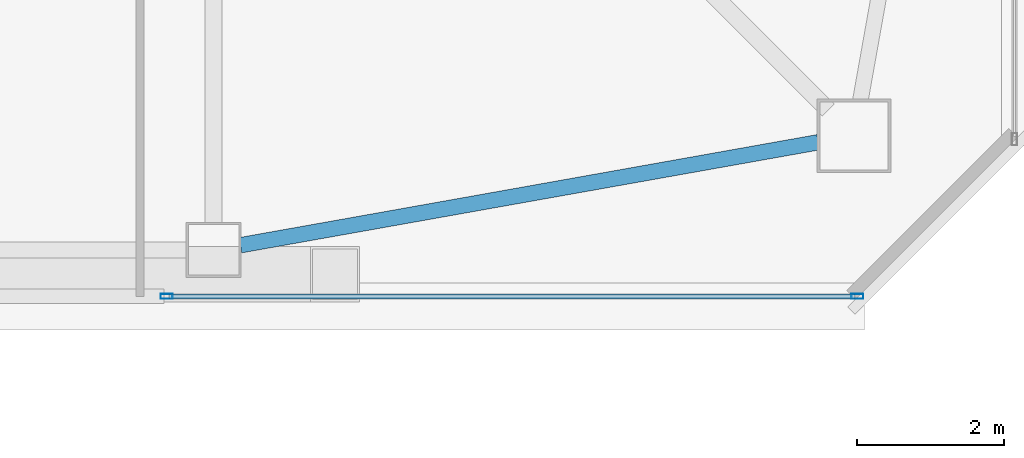
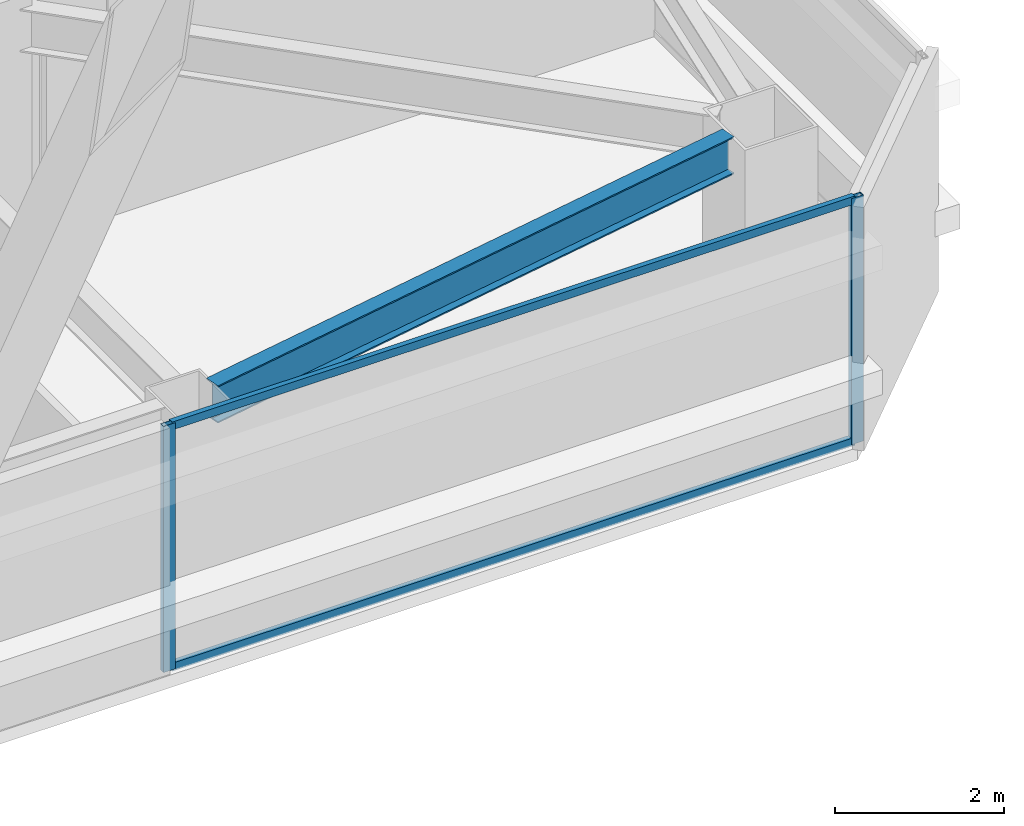
# One storey, part 7 of 47: 4 members, 1 beam, 1 element without a shape of its own.
"""IFC4 building model written with IfcOpenShell, lengths in metres."""

from ifc_helpers import new_model, si_unit, direction, frame, origin, origin_2d, place, context, subcontext, project, spatial, hollow_rectangle, i_section, extrude, material, material_profile, profile_set, type_object, element, aggregate, save


model = new_model("IFC4")

# Units and contexts
model_context = context("Model", 3, precision=1e-05, world=origin(), true_north=direction((0.0, 1.0)))
body_context = subcontext(model_context, "Body", "Model", "MODEL_VIEW")
ifc_project = project(units=[si_unit("LENGTHUNIT", "METRE"), si_unit("AREAUNIT", "SQUARE_METRE"), si_unit("VOLUMEUNIT", "CUBIC_METRE"), si_unit("PLANEANGLEUNIT", "RADIAN"), si_unit("MASSUNIT", "GRAM", prefix="KILO")], contexts=[model_context])

# Site, building, storey
site_placement = place(None, origin())
site = spatial("IfcSite", under=ifc_project, at=site_placement, CompositionType="ELEMENT")
building_placement = place(site_placement, origin())
building = spatial("IfcBuilding", under=site, at=building_placement, Name="Tashvorn Skyway Center", CompositionType="ELEMENT")
storey_placement = place(building_placement, frame((0.0, 0.0, 204.199951171875)))
storey = spatial("IfcBuildingStorey", under=building, at=storey_placement, Name="L55", CompositionType="ELEMENT", Elevation=204.199951171875)

# Beam
ifc_material_1 = material(Name="Steel ASTM A992 Grade 50", Category="steel")
ifc_material_profile_1 = material_profile(ifc_material_1, i_section(OverallWidth=0.2109375, OverallDepth=0.5390625, WebThickness=0.01171875, FlangeThickness=0.018798828125, at=origin_2d()), Name="W21X73")
ifc_profile_set_1 = profile_set([ifc_material_profile_1], Name="Steel ASTM A992 Grade 50")
beam_type = type_object("IfcBeamType", Name="BM-SPANDREL-W21X73", PredefinedType="SPANDREL", material=ifc_profile_set_1)
beam_placement = place(storey_placement, frame((47.76416015625, 16.414794921875, 3.1005859375), z_axis=(0.984494883191, 0.17541329759, 0.0), x_axis=(-0.17541329759, 0.984494883191, 0.0)))
element("IfcBeam", 1, at=beam_placement, inside=storey, type_object=beam_type, Name="Tower 1 L55 Spandrel Beam 03", PredefinedType="SPANDREL", context=body_context, shape_type="SweptSolid", body=[
    extrude(i_section(OverallWidth=0.2109375, OverallDepth=0.5390625, WebThickness=0.01171875, FlangeThickness=0.018798828125, at=origin_2d()), origin(), (0.0, 0.0, 1.0), 7.97216796875),
])

# Curtain wall, members
ifc_material_2 = material(Name="Thermally broken bronze-anodized aluminium 6063-T6", Category="aluminium")
curtain_wall_type = type_object("IfcCurtainWallType", Name="CW-CW-Z5", PredefinedType="NOTDEFINED", material=ifc_material_2)
curtain_wall_placement = place(storey_placement, origin())
curtain_wall = element("IfcCurtainWall", 2, at=curtain_wall_placement, inside=storey, type_object=curtain_wall_type, Name="Tower 1 L55 South Unitised Curtain Wall Glazing Group 1", PredefinedType="NOTDEFINED")
ifc_material_profile_2 = material_profile(ifc_material_2, hollow_rectangle(XDim=0.070068359375, YDim=0.1650390625, WallThickness=0.00390625, at=origin_2d()), Name="ALU-MULL-70x165")
ifc_profile_set_2 = profile_set([ifc_material_profile_2], Name="Thermally broken bronze-anodized aluminium 6063-T6")
member_type_1 = type_object("IfcMemberType", Name="CWM-CW-Z5", PredefinedType="MULLION", material=ifc_profile_set_2)
member_1_placement = place(storey_placement, frame((56.14501953125, 15.719970703125, 0.0), z_axis=(0.0, 0.0, 1.0), x_axis=(0.0, -1.0, 0.0)))
member_1 = element("IfcMember", 3, at=member_1_placement, type_object=member_type_1, Name="CW-Z5 mullion 1", PredefinedType="MULLION", context=body_context, shape_type="SweptSolid", body=[
    extrude(hollow_rectangle(XDim=0.070068359375, YDim=0.1650390625, WallThickness=0.00390625, at=origin_2d()), origin(), (0.0, 0.0, 1.0), 3.550048828125),
])
member_2_placement = place(storey_placement, frame((46.76171875, 15.719970703125, 0.0), z_axis=(0.0, 0.0, 1.0), x_axis=(0.0, -1.0, 0.0)))
member_2 = element("IfcMember", 4, at=member_2_placement, type_object=member_type_1, Name="CW-Z5 mullion 2", PredefinedType="MULLION", context=body_context, shape_type="SweptSolid", body=[
    extrude(hollow_rectangle(XDim=0.070068359375, YDim=0.1650390625, WallThickness=0.00390625, at=origin_2d()), origin(), (0.0, 0.0, 1.0), 3.550048828125),
])
ifc_material_profile_3 = material_profile(ifc_material_2, hollow_rectangle(XDim=0.070068359375, YDim=0.114990234375, WallThickness=0.00390625, at=origin_2d()), Name="ALU-TRAN-70x115")
ifc_profile_set_3 = profile_set([ifc_material_profile_3], Name="Thermally broken bronze-anodized aluminium 6063-T6")
member_type_2 = type_object("IfcMemberType", Name="CWT-CW-Z5", PredefinedType="USERDEFINED", material=ifc_profile_set_3)
member_3_placement = place(storey_placement, frame((56.110107421875, 15.719970703125, 0.03515625), z_axis=(-1.0, 0.0, 0.0), x_axis=(0.0, -1.0, 0.0)))
member_3 = element("IfcMember", 5, at=member_3_placement, type_object=member_type_2, Name="CW-Z5 transom 1.1", ObjectType="TRANSOM", PredefinedType="USERDEFINED", context=body_context, shape_type="SweptSolid", body=[
    extrude(hollow_rectangle(XDim=0.070068359375, YDim=0.114990234375, WallThickness=0.00390625, at=origin_2d()), origin(), (0.0, 0.0, 1.0), 9.3134765625),
])
member_4_placement = place(storey_placement, frame((56.110107421875, 15.719970703125, 3.51513671875), z_axis=(-1.0, 0.0, 0.0), x_axis=(0.0, -1.0, 0.0)))
member_4 = element("IfcMember", 6, at=member_4_placement, type_object=member_type_2, Name="CW-Z5 transom 1.2", ObjectType="TRANSOM", PredefinedType="USERDEFINED", context=body_context, shape_type="SweptSolid", body=[
    extrude(hollow_rectangle(XDim=0.070068359375, YDim=0.114990234375, WallThickness=0.00390625, at=origin_2d()), origin(), (0.0, 0.0, 1.0), 9.3134765625),
])
aggregate(curtain_wall, [member_1, member_2, member_3, member_4])

save(model, "model.ifc")
